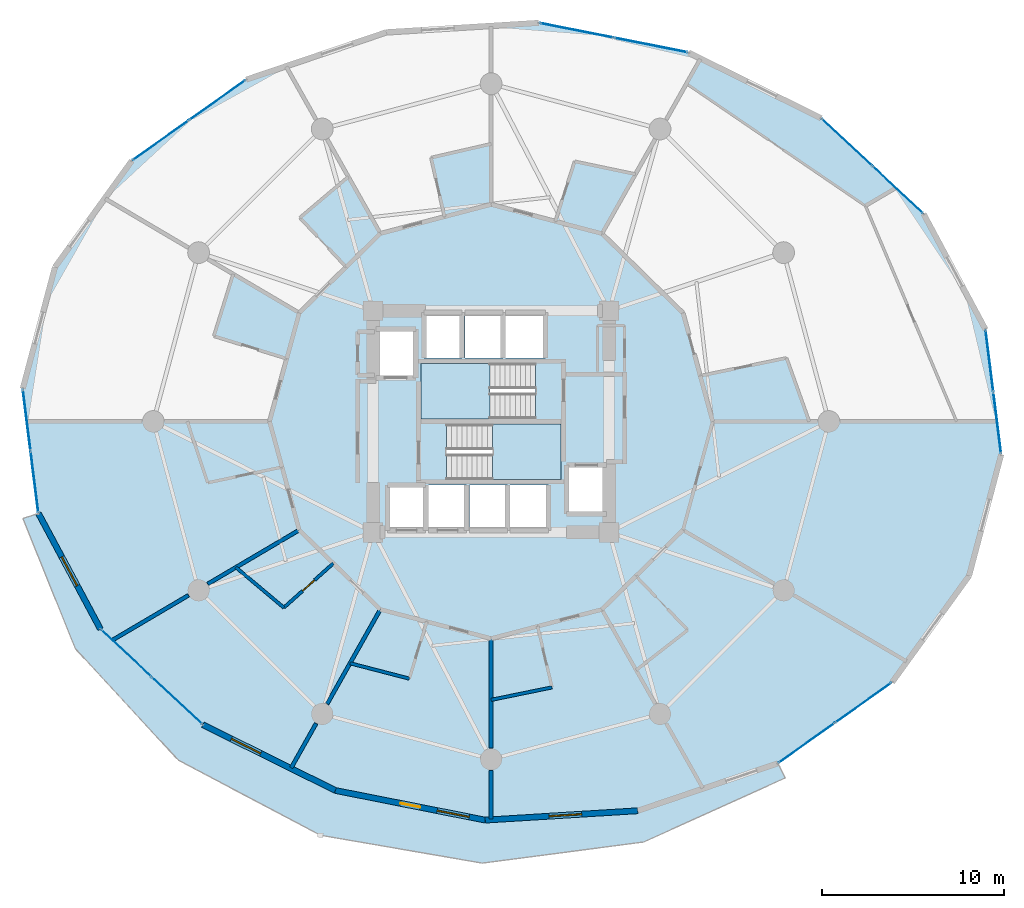
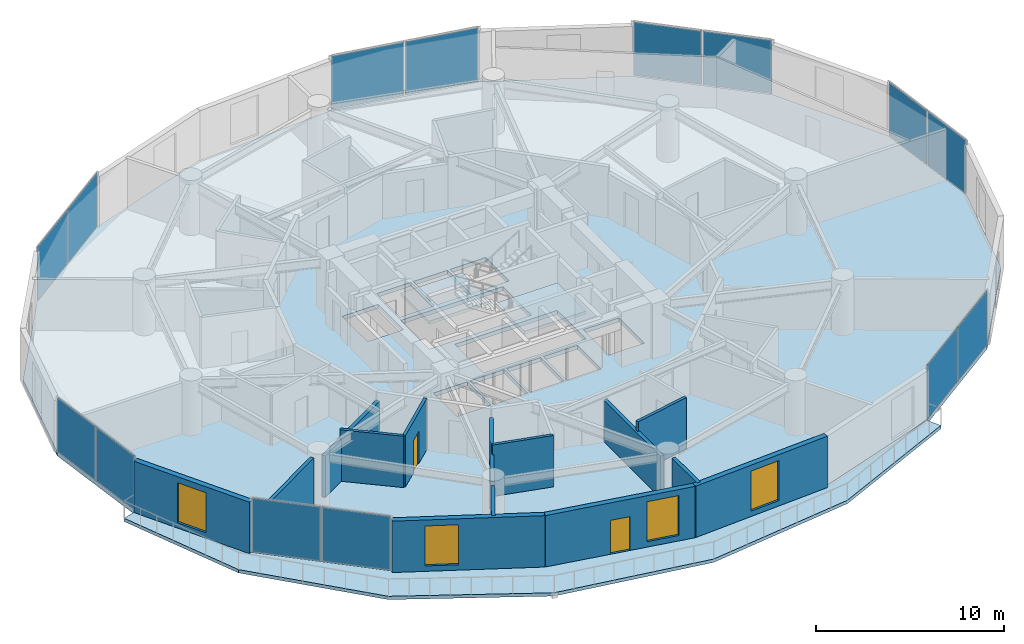
# One storey, part 19 of 26: 14 plates, 14 walls, 4 slabs, 4 windows, 2 doors, 6 openings, 9 elements without a shape of their own.
"""IFC4 building model written with IfcOpenShell, lengths in metres."""

from ifc_helpers import new_model, si_unit, direction, frame, frame_2d, origin, origin_2d, place, context, subcontext, project, spatial, polyline, rectangle, outline, extrude, source, transform, mapped, material, layer, layer_set, type_object, element, fill, aggregate, save


model = new_model("IFC4")

# Units and contexts
model_context = context("Model", 3, precision=1e-05, world=origin(), true_north=direction((0.0, 1.0)))
body_context = subcontext(model_context, "Body", "Model", "MODEL_VIEW")
ifc_project = project(units=[si_unit("LENGTHUNIT", "METRE"), si_unit("AREAUNIT", "SQUARE_METRE"), si_unit("VOLUMEUNIT", "CUBIC_METRE"), si_unit("PLANEANGLEUNIT", "RADIAN"), si_unit("MASSUNIT", "GRAM", prefix="KILO")], contexts=[model_context])

# Site, building, storey
site_placement = place(None, origin())
site = spatial("IfcSite", under=ifc_project, at=site_placement, CompositionType="ELEMENT")
building_placement = place(site_placement, origin())
building = spatial("IfcBuilding", under=site, at=building_placement, Name="Solvirekh Grand Hotel", CompositionType="ELEMENT")
storey_placement = place(building_placement, frame((0.0, 0.0, 32.0)))
storey = spatial("IfcBuildingStorey", under=building, at=storey_placement, Name="L06", CompositionType="ELEMENT", Elevation=32.0)

# Slab
ifc_material_1 = material(Name="Concrete C50/60", Category="concrete")
ifc_layer_1 = layer(ifc_material_1, 0.215087890625)
ifc_layer_set_1 = layer_set([ifc_layer_1], Name="Concrete C50/60")
slab_type_1 = type_object("IfcSlabType", Name="ExtCrescentBalc_215", PredefinedType="FLOOR", material=ifc_layer_set_1)
slab_1_placement = place(storey_placement, frame((0.0, 0.0, -0.215087890625)))
element("IfcSlab", 1, at=slab_1_placement, inside=storey, type_object=slab_type_1, Name="L06 sweeping crescent balcony slab", PredefinedType="FLOOR", context=body_context, shape_type="SweptSolid", body=[
    extrude(outline(polyline([(-25.782958984375, -5.340087890625), (-22.89208984375, -12.513916015625), (-17.218994140625, -18.65087890625), (-9.407958984375, -22.781005859375), (-0.48193359375, -24.318115234375), (8.406982421875, -23.153076171875), (16.197998046875, -19.625), (15.79296875, -18.821044921875), (8.072998046875, -21.43505859375), (-0.322998046875, -21.950927734375), (-8.575927734375, -20.318115234375), (-15.876953125, -16.696044921875), (-21.510009765625, -11.43896484375), (-24.926025390625, -5.06298828125), (-25.782958984375, -5.340087890625)])), origin(), (0.0, 0.0, 1.0), 0.215087890625),
])

# Stair, slab
ifc_material_2 = material(Name="Concrete C40/50", Category="concrete")
stair_type = type_object("IfcStairType", Name="Stair_Core_1450", PredefinedType="HALF_TURN_STAIR", material=ifc_material_2)
stair_1_placement = place(storey_placement, origin())
stair_1 = element("IfcStair", 2, at=stair_1_placement, inside=storey, type_object=stair_type, Name="L06 Enclosed exit stair ST-1", PredefinedType="HALF_TURN_STAIR")
ifc_layer_2 = layer(ifc_material_2, 0.199951171875)
ifc_layer_set_2 = layer_set([ifc_layer_2], Name="Concrete C40/50")
slab_type_2 = type_object("IfcSlabType", Name="Landing_Stair_200", PredefinedType="LANDING", material=ifc_layer_set_2)
slab_2_placement = place(storey_placement, frame((0.0, 0.0, 1.60009765625)))
slab_2 = element("IfcSlab", 3, at=slab_2_placement, type_object=slab_type_2, Name="ST-1 landing 1", PredefinedType="LANDING", context=body_context, shape_type="SweptSolid", body=[
    extrude(outline(polyline([(0.070068359375, -3.199951171875), (3.85009765625, -3.199951171875), (3.85009765625, -0.14990234375), (0.070068359375, -0.14990234375), (0.070068359375, -3.199951171875)])), origin(), (0.0, 0.0, 1.0), 0.199951171875),
])
aggregate(stair_1, [slab_2])

stair_2_placement = place(storey_placement, origin())
stair_2 = element("IfcStair", 4, at=stair_2_placement, inside=storey, type_object=stair_type, Name="L06 Enclosed exit stair ST-2", PredefinedType="HALF_TURN_STAIR")
slab_3_placement = place(storey_placement, frame((0.0, 0.0, 1.60009765625)))
slab_3 = element("IfcSlab", 5, at=slab_3_placement, type_object=slab_type_2, Name="ST-2 landing 1", PredefinedType="LANDING", context=body_context, shape_type="SweptSolid", body=[
    extrude(outline(polyline([(-0.070068359375, 3.199951171875), (-3.85009765625, 3.199951171875), (-3.85009765625, 0.14990234375), (-0.070068359375, 0.14990234375), (-0.070068359375, 3.199951171875)])), origin(), (0.0, 0.0, 1.0), 0.199951171875),
])
aggregate(stair_2, [slab_3])

# Slab
ifc_layer_3 = layer(ifc_material_1, 0.260009765625)
ifc_layer_set_3 = layer_set([ifc_layer_3], Name="Concrete C50/60")
slab_type_3 = type_object("IfcSlabType", Name="Slab_GuestZ1_260", PredefinedType="FLOOR", material=ifc_layer_set_3)
slab_4_placement = place(storey_placement, frame((0.0, 0.0, -0.260009765625)))
element("IfcSlab", 6, at=slab_4_placement, inside=storey, type_object=slab_type_3, Name="L06 structural floor slab", PredefinedType="FLOOR", context=body_context, shape_type="SweptSolid", body=[
    extrude(outline(polyline([(28.089111328125, -1.80810546875), (27.22607421875, 5.06298828125), (23.81005859375, 11.43896484375), (18.177001953125, 16.696044921875), (10.8759765625, 20.318115234375), (2.623046875, 21.950927734375), (-5.77294921875, 21.43505859375), (-13.492919921875, 18.821044921875), (-19.778076171875, 14.364990234375), (-24.01611328125, 8.5029296875), (-25.7890625, 1.80810546875), (-24.926025390625, -5.06298828125), (-21.510009765625, -11.43896484375), (-15.876953125, -16.696044921875), (-8.575927734375, -20.318115234375), (-0.322998046875, -21.950927734375), (8.072998046875, -21.43505859375), (15.79296875, -18.821044921875), (22.077880859375, -14.364990234375), (26.31591796875, -8.5029296875), (28.089111328125, -1.80810546875)]), holes=[polyline([(-2.444091796875, -0.14990234375), (3.85009765625, -0.14990234375), (3.85009765625, -3.199951171875), (-2.444091796875, -3.199951171875), (-2.444091796875, -0.14990234375)]), polyline([(2.444091796875, 0.14990234375), (-3.85009765625, 0.14990234375), (-3.85009765625, 3.199951171875), (2.444091796875, 3.199951171875), (2.444091796875, 0.14990234375)]), polyline([(-5.699951171875, -3.5), (-3.60009765625, -3.5), (-3.60009765625, -6.0), (-5.699951171875, -6.0), (-5.699951171875, -3.5)]), polyline([(-3.449951171875, -3.5), (-1.35009765625, -3.5), (-1.35009765625, -6.0), (-3.449951171875, -6.0), (-3.449951171875, -3.5)]), polyline([(-1.199951171875, -3.5), (0.89990234375, -3.5), (0.89990234375, -6.0), (-1.199951171875, -6.0), (-1.199951171875, -3.5)]), polyline([(1.050048828125, -3.5), (3.14990234375, -3.5), (3.14990234375, -6.0), (1.050048828125, -6.0), (1.050048828125, -3.5)]), polyline([(-3.699951171875, 6.0), (-1.60009765625, 6.0), (-1.60009765625, 3.5), (-3.699951171875, 3.5), (-3.699951171875, 6.0)]), polyline([(-1.449951171875, 6.0), (0.64990234375, 6.0), (0.64990234375, 3.5), (-1.449951171875, 3.5), (-1.449951171875, 6.0)]), polyline([(0.800048828125, 6.0), (3.0, 6.0), (3.0, 3.5), (0.800048828125, 3.5), (0.800048828125, 6.0)]), polyline([(-6.35009765625, 5.10009765625), (-4.14990234375, 5.10009765625), (-4.14990234375, 2.39990234375), (-6.35009765625, 2.39990234375), (-6.35009765625, 5.10009765625)]), polyline([(4.14990234375, -2.39990234375), (6.35009765625, -2.39990234375), (6.35009765625, -5.10009765625), (4.14990234375, -5.10009765625), (4.14990234375, -2.39990234375)])]), origin(), (0.0, 0.0, 1.0), 0.260009765625),
])

# Curtain wall, plates
ifc_material_3 = material(Name="Anodized Bronze Aluminium 6063-T6", Category="aluminium")
ifc_layer_4 = layer(ifc_material_3, 0.18994140625)
ifc_layer_set_4 = layer_set([ifc_layer_4], Name="Anodized Bronze Aluminium 6063-T6")
curtain_wall_type = type_object("IfcCurtainWallType", Name="CW_Sys2_LowZoneFlushBronzeCW", PredefinedType="NOTDEFINED", material=ifc_layer_set_4)
curtain_wall_1_placement = place(storey_placement, origin())
curtain_wall_1 = element("IfcCurtainWall", 7, at=curtain_wall_1_placement, inside=storey, type_object=curtain_wall_type, Name="L06 unitised bronze-glass curtain wall CW-L06-C01", PredefinedType="NOTDEFINED")
ifc_material_4 = material(Name="Low-E Tinted Bronze Laminated Glass", Category="aluminium")
ifc_layer_5 = layer(ifc_material_4, 0.0380859375)
ifc_layer_set_5 = layer_set([ifc_layer_5], Name="Low-E Tinted Bronze Laminated Glass")
plate_type = type_object("IfcPlateType", Name="CWPanel_Low_38", PredefinedType="CURTAIN_PANEL", material=ifc_layer_set_5)
shared_shape_1 = source(origin(), body_context, "Body", "SweptSolid", [
    extrude(rectangle(XDim=3.357421875, YDim=0.0380859375, at=origin_2d()), origin(), (0.0, 0.0, 1.0), 3.47998046875),
])
plate_1_placement = place(storey_placement, frame((27.87109375, -0.072998046875, 0.06005859375), z_axis=(0.0, 0.0, 1.0), x_axis=(-0.124621217979, 0.992204390249, 0.0)))
plate_1 = element("IfcPlate", 8, at=plate_1_placement, type_object=plate_type, Name="U02 panel 1.1", PredefinedType="CURTAIN_PANEL", context=body_context, shape_type="MappedRepresentation", body=[
    mapped(shared_shape_1, transform((0.0, 0.0, 0.0), x_axis=(1.0, 0.0, 0.0), y_axis=(0.0, 1.0, 0.0), z_axis=(0.0, 0.0, 1.0), scale=1.0)),
])
plate_2_placement = place(storey_placement, frame((27.44384765625, 3.327880859375, 0.06005859375), z_axis=(0.0, 0.0, 1.0), x_axis=(-0.124621217979, 0.992204390249, 0.0)))
plate_2 = element("IfcPlate", 9, at=plate_2_placement, type_object=plate_type, Name="U02 panel 2.1", PredefinedType="CURTAIN_PANEL", context=body_context, shape_type="MappedRepresentation", body=[
    mapped(shared_shape_1, transform((0.0, 0.0, 0.0), x_axis=(1.0, 0.0, 0.0), y_axis=(0.0, 1.0, 0.0), z_axis=(0.0, 0.0, 1.0), scale=1.0)),
])
aggregate(curtain_wall_1, [plate_1, plate_2])

curtain_wall_2_placement = place(storey_placement, origin())
curtain_wall_2 = element("IfcCurtainWall", 10, at=curtain_wall_2_placement, inside=storey, type_object=curtain_wall_type, Name="L06 unitised bronze-glass curtain wall CW-L06-C11", PredefinedType="NOTDEFINED")
plate_3_placement = place(storey_placement, frame((-25.571044921875, 0.072998046875, 0.06005859375), z_axis=(0.0, 0.0, 1.0), x_axis=(0.124621217979, -0.992204390249, 0.0)))
plate_3 = element("IfcPlate", 11, at=plate_3_placement, type_object=plate_type, Name="U02 panel 1.1", PredefinedType="CURTAIN_PANEL", context=body_context, shape_type="MappedRepresentation", body=[
    mapped(shared_shape_1, transform((0.0, 0.0, 0.0), x_axis=(1.0, 0.0, 0.0), y_axis=(0.0, 1.0, 0.0), z_axis=(0.0, 0.0, 1.0), scale=1.0)),
])
plate_4_placement = place(storey_placement, frame((-25.14404296875, -3.327880859375, 0.06005859375), z_axis=(0.0, 0.0, 1.0), x_axis=(0.124621217979, -0.992204390249, 0.0)))
plate_4 = element("IfcPlate", 12, at=plate_4_placement, type_object=plate_type, Name="U02 panel 2.1", PredefinedType="CURTAIN_PANEL", context=body_context, shape_type="MappedRepresentation", body=[
    mapped(shared_shape_1, transform((0.0, 0.0, 0.0), x_axis=(1.0, 0.0, 0.0), y_axis=(0.0, 1.0, 0.0), z_axis=(0.0, 0.0, 1.0), scale=1.0)),
])
aggregate(curtain_wall_2, [plate_3, plate_4])

curtain_wall_3_placement = place(storey_placement, origin())
curtain_wall_3 = element("IfcCurtainWall", 13, at=curtain_wall_3_placement, inside=storey, type_object=curtain_wall_type, Name="L06 unitised bronze-glass curtain wall CW-L06-C05", PredefinedType="NOTDEFINED")
shared_shape_2 = source(origin(), body_context, "Body", "SweptSolid", [
    extrude(rectangle(XDim=4.1015625, YDim=0.0380859375, at=origin_2d()), origin(), (0.0, 0.0, 1.0), 3.47998046875),
])
plate_5_placement = place(storey_placement, frame((8.795654296875, 20.729736328125, 0.06005859375), z_axis=(0.0, 0.0, 1.0), x_axis=(-0.9809809199, 0.194104185406, 0.0)))
plate_5 = element("IfcPlate", 14, at=plate_5_placement, type_object=plate_type, Name="U02 panel 1.1", PredefinedType="CURTAIN_PANEL", context=body_context, shape_type="MappedRepresentation", body=[
    mapped(shared_shape_2, transform((0.0, 0.0, 0.0), x_axis=(1.0, 0.0, 0.0), y_axis=(0.0, 1.0, 0.0), z_axis=(0.0, 0.0, 1.0), scale=1.0)),
])
plate_6_placement = place(storey_placement, frame((4.703369140625, 21.539306640625, 0.06005859375), z_axis=(0.0, 0.0, 1.0), x_axis=(-0.9809809199, 0.194104185406, 0.0)))
plate_6 = element("IfcPlate", 15, at=plate_6_placement, type_object=plate_type, Name="U02 panel 2.1", PredefinedType="CURTAIN_PANEL", context=body_context, shape_type="MappedRepresentation", body=[
    mapped(shared_shape_2, transform((0.0, 0.0, 0.0), x_axis=(1.0, 0.0, 0.0), y_axis=(0.0, 1.0, 0.0), z_axis=(0.0, 0.0, 1.0), scale=1.0)),
])
aggregate(curtain_wall_3, [plate_5, plate_6])

curtain_wall_4_placement = place(storey_placement, origin())
curtain_wall_4 = element("IfcCurtainWall", 16, at=curtain_wall_4_placement, inside=storey, type_object=curtain_wall_type, Name="L06 unitised bronze-glass curtain wall CW-L06-C08", PredefinedType="NOTDEFINED")
shared_shape_3 = source(origin(), body_context, "Body", "SweptSolid", [
    extrude(rectangle(XDim=3.7470703125, YDim=0.0380859375, at=origin_2d()), origin(), (0.0, 0.0, 1.0), 3.47998046875),
])
plate_7_placement = place(storey_placement, frame((-15.07861328125, 17.69677734375, 0.06005859375), z_axis=(0.0, 0.0, 1.0), x_axis=(-0.815771862482, -0.578373813708, 0.0)))
plate_7 = element("IfcPlate", 17, at=plate_7_placement, type_object=plate_type, Name="U02 panel 1.1", PredefinedType="CURTAIN_PANEL", context=body_context, shape_type="MappedRepresentation", body=[
    mapped(shared_shape_3, transform((0.0, 0.0, 0.0), x_axis=(1.0, 0.0, 0.0), y_axis=(0.0, 1.0, 0.0), z_axis=(0.0, 0.0, 1.0), scale=1.0)),
])
plate_8_placement = place(storey_placement, frame((-18.1923828125, 15.489013671875, 0.06005859375), z_axis=(0.0, 0.0, 1.0), x_axis=(-0.815771862482, -0.578373813708, 0.0)))
plate_8 = element("IfcPlate", 18, at=plate_8_placement, type_object=plate_type, Name="U02 panel 2.1", PredefinedType="CURTAIN_PANEL", context=body_context, shape_type="MappedRepresentation", body=[
    mapped(shared_shape_3, transform((0.0, 0.0, 0.0), x_axis=(1.0, 0.0, 0.0), y_axis=(0.0, 1.0, 0.0), z_axis=(0.0, 0.0, 1.0), scale=1.0)),
])
aggregate(curtain_wall_4, [plate_7, plate_8])

curtain_wall_5_placement = place(storey_placement, origin())
curtain_wall_5 = element("IfcCurtainWall", 19, at=curtain_wall_5_placement, inside=storey, type_object=curtain_wall_type, Name="L06 unitised bronze-glass curtain wall CW-L06-C18", PredefinedType="NOTDEFINED")
plate_9_placement = place(storey_placement, frame((17.37841796875, -17.69677734375, 0.06005859375), z_axis=(0.0, 0.0, 1.0), x_axis=(0.815771862482, 0.578373813708, 0.0)))
plate_9 = element("IfcPlate", 20, at=plate_9_placement, type_object=plate_type, Name="U02 panel 1.1", PredefinedType="CURTAIN_PANEL", context=body_context, shape_type="MappedRepresentation", body=[
    mapped(shared_shape_3, transform((0.0, 0.0, 0.0), x_axis=(1.0, 0.0, 0.0), y_axis=(0.0, 1.0, 0.0), z_axis=(0.0, 0.0, 1.0), scale=1.0)),
])
plate_10_placement = place(storey_placement, frame((20.492431640625, -15.489013671875, 0.06005859375), z_axis=(0.0, 0.0, 1.0), x_axis=(0.815771862482, 0.578373813708, 0.0)))
plate_10 = element("IfcPlate", 21, at=plate_10_placement, type_object=plate_type, Name="U02 panel 2.1", PredefinedType="CURTAIN_PANEL", context=body_context, shape_type="MappedRepresentation", body=[
    mapped(shared_shape_3, transform((0.0, 0.0, 0.0), x_axis=(1.0, 0.0, 0.0), y_axis=(0.0, 1.0, 0.0), z_axis=(0.0, 0.0, 1.0), scale=1.0)),
])
aggregate(curtain_wall_5, [plate_9, plate_10])

curtain_wall_6_placement = place(storey_placement, origin())
curtain_wall_6 = element("IfcCurtainWall", 22, at=curtain_wall_6_placement, inside=storey, type_object=curtain_wall_type, Name="L06 unitised bronze-glass curtain wall CW-L06-C03", PredefinedType="NOTDEFINED")
shared_shape_4 = source(origin(), body_context, "Body", "SweptSolid", [
    extrude(rectangle(XDim=3.74755859375, YDim=0.0380859375, at=origin_2d()), origin(), (0.0, 0.0, 1.0), 3.47998046875),
])
plate_11_placement = place(storey_placement, frame((22.388916015625, 12.76513671875, 0.06005859375), z_axis=(0.0, 0.0, 1.0), x_axis=(-0.73108547903, 0.682285880223, 0.0)))
plate_11 = element("IfcPlate", 23, at=plate_11_placement, type_object=plate_type, Name="U02 panel 1.1", PredefinedType="CURTAIN_PANEL", context=body_context, shape_type="MappedRepresentation", body=[
    mapped(shared_shape_4, transform((0.0, 0.0, 0.0), x_axis=(1.0, 0.0, 0.0), y_axis=(0.0, 1.0, 0.0), z_axis=(0.0, 0.0, 1.0), scale=1.0)),
])
plate_12_placement = place(storey_placement, frame((19.59814453125, 15.369873046875, 0.06005859375), z_axis=(0.0, 0.0, 1.0), x_axis=(-0.73108547903, 0.682285880223, 0.0)))
plate_12 = element("IfcPlate", 24, at=plate_12_placement, type_object=plate_type, Name="U02 panel 2.1", PredefinedType="CURTAIN_PANEL", context=body_context, shape_type="MappedRepresentation", body=[
    mapped(shared_shape_4, transform((0.0, 0.0, 0.0), x_axis=(1.0, 0.0, 0.0), y_axis=(0.0, 1.0, 0.0), z_axis=(0.0, 0.0, 1.0), scale=1.0)),
])
aggregate(curtain_wall_6, [plate_11, plate_12])

curtain_wall_7_placement = place(storey_placement, origin())
curtain_wall_7 = element("IfcCurtainWall", 25, at=curtain_wall_7_placement, inside=storey, type_object=curtain_wall_type, Name="L06 unitised bronze-glass curtain wall CW-L06-C13", PredefinedType="NOTDEFINED")
plate_13_placement = place(storey_placement, frame((-20.0888671875, -12.76513671875, 0.06005859375), z_axis=(0.0, 0.0, 1.0), x_axis=(0.73108547903, -0.682285880223, 0.0)))
plate_13 = element("IfcPlate", 26, at=plate_13_placement, type_object=plate_type, Name="U02 panel 1.1", PredefinedType="CURTAIN_PANEL", context=body_context, shape_type="MappedRepresentation", body=[
    mapped(shared_shape_4, transform((0.0, 0.0, 0.0), x_axis=(1.0, 0.0, 0.0), y_axis=(0.0, 1.0, 0.0), z_axis=(0.0, 0.0, 1.0), scale=1.0)),
])
plate_14_placement = place(storey_placement, frame((-17.298095703125, -15.369873046875, 0.06005859375), z_axis=(0.0, 0.0, 1.0), x_axis=(0.73108547903, -0.682285880223, 0.0)))
plate_14 = element("IfcPlate", 27, at=plate_14_placement, type_object=plate_type, Name="U02 panel 2.1", PredefinedType="CURTAIN_PANEL", context=body_context, shape_type="MappedRepresentation", body=[
    mapped(shared_shape_4, transform((0.0, 0.0, 0.0), x_axis=(1.0, 0.0, 0.0), y_axis=(0.0, 1.0, 0.0), z_axis=(0.0, 0.0, 1.0), scale=1.0)),
])
aggregate(curtain_wall_7, [plate_13, plate_14])

# Wall, opening, window
ifc_material_5 = material(Name="Precast concrete C45/55", Category="concrete")
ifc_layer_6 = layer(ifc_material_5, 0.320068359375)
ifc_layer_set_6 = layer_set([ifc_layer_6], Name="Precast concrete C45/55")
wall_type_1 = type_object("IfcWallType", Name="ExtLobbyWall_RC320", PredefinedType="SOLIDWALL", material=ifc_layer_set_6)
wall_1_placement = place(storey_placement, frame((-21.510009765625, -11.43896484375, 0.0), z_axis=(0.0, 0.0, 1.0), x_axis=(-0.472255130515, 0.881461905985, 0.0)))
wall_1 = element("IfcWall", 28, at=wall_1_placement, inside=storey, type_object=wall_type_1, Name="L06 exterior structural wall chord 12", PredefinedType="SOLIDWALL", context=body_context, shape_type="SweptSolid", body=[
    extrude(rectangle(XDim=7.2333984375, YDim=0.320068359375, at=frame_2d((3.61669921875, 0.0))), origin(), (0.0, 0.0, 1.0), 3.340087890625),
])
opening_1_placement = place(wall_1_placement, frame((2.717041015625, 0.0, 0.35009765625)))
opening_1 = element("IfcOpeningElement", 29, at=opening_1_placement, cuts=wall_1, Name="Opening W02", PredefinedType="OPENING", context=body_context, shape_type="SweptSolid", body=[
    extrude(rectangle(XDim=1.800048828125, YDim=2.60009765625, at=frame_2d((0.89990234375, 1.300048828125))), frame((0.0, 0.169921875, 0.0), z_axis=(0.0, -1.0, 0.0), x_axis=(1.0, 0.0, 0.0)), (0.0, 0.0, 1.0), 0.340087890625),
])
window_type = type_object("IfcWindowType", Name="Win_LobbyExt_1800X2600", PartitioningType="SINGLE_PANEL", PredefinedType="WINDOW", material=ifc_material_4)
window_1_placement = place(opening_1_placement, origin())
window_1 = element("IfcWindow", 30, at=window_1_placement, inside=storey, type_object=window_type, Name="L06 panoramic bronze-framed window 12", OverallHeight=2.60009765625, OverallWidth=1.800048828125, PartitioningType="SINGLE_PANEL", PredefinedType="WINDOW", context=body_context, shape_type="SweptSolid", body=[
    extrude(rectangle(XDim=1.800048828125, YDim=2.60009765625, at=frame_2d((0.89990234375, 1.300048828125))), frame((0.0, 0.030029296875, 0.0), z_axis=(0.0, -1.0, 0.0), x_axis=(1.0, 0.0, 0.0)), (0.0, 0.0, 1.0), 0.06005859375),
])
fill(opening_1, window_1)

wall_2_placement = place(storey_placement, frame((-8.575927734375, -20.318115234375, 0.0), z_axis=(0.0, 0.0, 1.0), x_axis=(-0.895818759339, 0.444419565743, 0.0)))
wall_2 = element("IfcWall", 31, at=wall_2_placement, inside=storey, type_object=wall_type_1, Name="L06 exterior structural wall chord 14", PredefinedType="SOLIDWALL", context=body_context, shape_type="SweptSolid", body=[
    extrude(rectangle(XDim=8.150146484375, YDim=0.320068359375, at=frame_2d((4.0751953125, 0.0))), origin(), (0.0, 0.0, 1.0), 3.340087890625),
])
opening_2_placement = place(wall_2_placement, frame((4.592041015625, 0.0, 0.35009765625)))
opening_2 = element("IfcOpeningElement", 32, at=opening_2_placement, cuts=wall_2, Name="Opening W02", PredefinedType="OPENING", context=body_context, shape_type="SweptSolid", body=[
    extrude(rectangle(XDim=1.800048828125, YDim=2.60009765625, at=frame_2d((0.89990234375, 1.300048828125))), frame((0.0, 0.169921875, 0.0), z_axis=(0.0, -1.0, 0.0), x_axis=(1.0, 0.0, 0.0)), (0.0, 0.0, 1.0), 0.340087890625),
])
window_2_placement = place(opening_2_placement, origin())
window_2 = element("IfcWindow", 33, at=window_2_placement, inside=storey, type_object=window_type, Name="L06 panoramic bronze-framed window 14", OverallHeight=2.60009765625, OverallWidth=1.800048828125, PartitioningType="SINGLE_PANEL", PredefinedType="WINDOW", context=body_context, shape_type="SweptSolid", body=[
    extrude(rectangle(XDim=1.800048828125, YDim=2.60009765625, at=frame_2d((0.89990234375, 1.300048828125))), frame((0.0, 0.030029296875, 0.0), z_axis=(0.0, -1.0, 0.0), x_axis=(1.0, 0.0, 0.0)), (0.0, 0.0, 1.0), 0.06005859375),
])
fill(opening_2, window_2)

# Wall, openings, door, window
wall_3_placement = place(storey_placement, frame((-0.322998046875, -21.950927734375, 0.0), z_axis=(0.0, 0.0, 1.0), x_axis=(-0.980984848571, 0.194084329288, 0.0)))
wall_3 = element("IfcWall", 34, at=wall_3_placement, inside=storey, type_object=wall_type_1, Name="L06 exterior structural wall chord 15", PredefinedType="SOLIDWALL", context=body_context, shape_type="SweptSolid", body=[
    extrude(rectangle(XDim=8.412841796875, YDim=0.320068359375, at=frame_2d((4.20654296875, 0.0))), origin(), (0.0, 0.0, 1.0), 3.340087890625),
])
opening_3_placement = place(wall_3_placement, frame((0.903076171875, 0.0, 0.35009765625)))
opening_3 = element("IfcOpeningElement", 35, at=opening_3_placement, cuts=wall_3, Name="Opening W02", PredefinedType="OPENING", context=body_context, shape_type="SweptSolid", body=[
    extrude(rectangle(XDim=1.800048828125, YDim=2.60009765625, at=frame_2d((0.89990234375, 1.300048828125))), frame((0.0, 0.169921875, 0.0), z_axis=(0.0, -1.0, 0.0), x_axis=(1.0, 0.0, 0.0)), (0.0, 0.0, 1.0), 0.340087890625),
])
opening_4_placement = place(wall_3_placement, frame((3.656982421875, 0.0, 0.0)))
opening_4 = element("IfcOpeningElement", 36, at=opening_4_placement, cuts=wall_3, Name="Opening D03", PredefinedType="OPENING", context=body_context, shape_type="SweptSolid", body=[
    extrude(rectangle(XDim=1.10009765625, YDim=2.199951171875, at=frame_2d((0.550048828125, 1.10009765625))), frame((0.0, 0.169921875, 0.0), z_axis=(0.0, -1.0, 0.0), x_axis=(1.0, 0.0, 0.0)), (0.0, 0.0, 1.0), 0.340087890625),
])
door_type_1 = type_object("IfcDoorType", Name="Door_ExtBalcony_1100X2200", OperationType="NOTDEFINED", PredefinedType="DOOR", material=ifc_material_3)
door_1_placement = place(opening_4_placement, origin())
door_1 = element("IfcDoor", 37, at=door_1_placement, inside=storey, type_object=door_type_1, Name="L06 Crescent balcony glazed door (15)", OperationType="SINGLE_SWING_RIGHT", OverallHeight=2.199951171875, OverallWidth=1.10009765625, PredefinedType="DOOR", context=body_context, shape_type="SweptSolid", body=[
    extrude(rectangle(XDim=1.10009765625, YDim=2.199951171875, at=frame_2d((0.550048828125, 1.10009765625))), frame((0.0, 0.02490234375, 0.0), z_axis=(0.0, -1.0, 0.0), x_axis=(1.0, 0.0, 0.0)), (0.0, 0.0, 1.0), 0.050048828125),
])
fill(opening_4, door_1)
window_3_placement = place(opening_3_placement, origin())
window_3 = element("IfcWindow", 38, at=window_3_placement, inside=storey, type_object=window_type, Name="L06 exterior side window 15", OverallHeight=2.60009765625, OverallWidth=1.800048828125, PartitioningType="SINGLE_PANEL", PredefinedType="WINDOW", context=body_context, shape_type="SweptSolid", body=[
    extrude(rectangle(XDim=1.800048828125, YDim=2.60009765625, at=frame_2d((0.89990234375, 1.300048828125))), frame((0.0, 0.030029296875, 0.0), z_axis=(0.0, -1.0, 0.0), x_axis=(1.0, 0.0, 0.0)), (0.0, 0.0, 1.0), 0.06005859375),
])
fill(opening_3, window_3)

# Wall, opening, window
wall_4_placement = place(storey_placement, frame((8.072998046875, -21.43505859375, 0.0), z_axis=(0.0, 0.0, 1.0), x_axis=(-0.998117750792, -0.06132663005, 0.0)))
wall_4 = element("IfcWall", 39, at=wall_4_placement, inside=storey, type_object=wall_type_1, Name="L06 exterior structural wall chord 16", PredefinedType="SOLIDWALL", context=body_context, shape_type="SweptSolid", body=[
    extrude(rectangle(XDim=8.411865234375, YDim=0.320068359375, at=frame_2d((4.2060546875, 0.0))), origin(), (0.0, 0.0, 1.0), 3.340087890625),
])
opening_5_placement = place(wall_4_placement, frame((3.093017578125, 0.0, 0.35009765625)))
opening_5 = element("IfcOpeningElement", 40, at=opening_5_placement, cuts=wall_4, Name="Opening W02", PredefinedType="OPENING", context=body_context, shape_type="SweptSolid", body=[
    extrude(rectangle(XDim=1.800048828125, YDim=2.60009765625, at=frame_2d((0.89990234375, 1.300048828125))), frame((0.0, 0.169921875, 0.0), z_axis=(0.0, -1.0, 0.0), x_axis=(1.0, 0.0, 0.0)), (0.0, 0.0, 1.0), 0.340087890625),
])
window_4_placement = place(opening_5_placement, origin())
window_4 = element("IfcWindow", 41, at=window_4_placement, inside=storey, type_object=window_type, Name="L06 panoramic bronze-framed window 16", OverallHeight=2.60009765625, OverallWidth=1.800048828125, PartitioningType="SINGLE_PANEL", PredefinedType="WINDOW", context=body_context, shape_type="SweptSolid", body=[
    extrude(rectangle(XDim=1.800048828125, YDim=2.60009765625, at=frame_2d((0.89990234375, 1.300048828125))), frame((0.0, 0.030029296875, 0.0), z_axis=(0.0, -1.0, 0.0), x_axis=(1.0, 0.0, 0.0)), (0.0, 0.0, 1.0), 0.06005859375),
])
fill(opening_5, window_4)

# Walls
ifc_material_6 = material(Name="Acoustic Gypsum Partition Assembly")
ifc_layer_7 = layer(ifc_material_6, 0.2099609375)
ifc_layer_set_7 = layer_set([ifc_layer_7], Name="Acoustic Gypsum Partition Assembly")
wall_type_2 = type_object("IfcWallType", Name="Part_SuiteDemise_210", PredefinedType="PARTITIONING", material=ifc_layer_set_7)
wall_5_placement = place(storey_placement, frame((-10.56591796875, -5.97509765625, 0.0), z_axis=(0.0, 0.0, 1.0), x_axis=(-0.861473203585, -0.507803032194, 0.0)))
element("IfcWall", 42, at=wall_5_placement, inside=storey, type_object=wall_type_2, Name="L06 suite radial wall 8 (A)", PredefinedType="PARTITIONING", context=body_context, shape_type="SweptSolid", body=[
    extrude(rectangle(XDim=5.8447265625, YDim=0.2099609375, at=frame_2d((2.92236328125, 0.0))), origin(), (0.0, 0.0, 1.0), 2.708984375),
])
wall_6_placement = place(storey_placement, frame((-16.666015625, -9.571044921875, 0.0), z_axis=(0.0, 0.0, 1.0), x_axis=(-0.861454358035, -0.50783500177, 0.0)))
element("IfcWall", 43, at=wall_6_placement, inside=storey, type_object=wall_type_2, Name="L06 suite radial wall 8 (B)", PredefinedType="PARTITIONING", context=body_context, shape_type="SweptSolid", body=[
    extrude(rectangle(XDim=4.830078125, YDim=0.2099609375, at=frame_2d((2.4150390625, 0.0))), origin(), (0.0, 0.0, 1.0), 3.340087890625),
])
wall_7_placement = place(storey_placement, frame((-6.10009765625, -10.34912109375, 0.0), z_axis=(0.0, 0.0, 1.0), x_axis=(-0.490503945764, -0.871438970433, 0.0)))
element("IfcWall", 44, at=wall_7_placement, inside=storey, type_object=wall_type_2, Name="L06 suite radial wall 9 (A)", PredefinedType="PARTITIONING", context=body_context, shape_type="SweptSolid", body=[
    extrude(rectangle(XDim=5.96923828125, YDim=0.2099609375, at=frame_2d((2.984619140625, 0.0))), origin(), (0.0, 0.0, 1.0), 2.708984375),
])
wall_8_placement = place(storey_placement, frame((-9.635986328125, -16.62890625, 0.0), z_axis=(0.0, 0.0, 1.0), x_axis=(-0.490451821351, -0.871468307475, 0.0)))
element("IfcWall", 45, at=wall_8_placement, inside=storey, type_object=wall_type_2, Name="L06 suite radial wall 9 (B)", PredefinedType="PARTITIONING", context=body_context, shape_type="SweptSolid", body=[
    extrude(rectangle(XDim=2.797607421875, YDim=0.2099609375, at=frame_2d((1.39892578125, 0.0))), origin(), (0.0, 0.0, 1.0), 3.340087890625),
])
wall_9_placement = place(storey_placement, frame((0.0, -11.949951171875, 0.0), z_axis=(0.0, 0.0, 1.0), x_axis=(0.0, -1.0, 0.0)))
element("IfcWall", 46, at=wall_9_placement, inside=storey, type_object=wall_type_2, Name="L06 suite radial wall 10 (A)", PredefinedType="PARTITIONING", context=body_context, shape_type="SweptSolid", body=[
    extrude(rectangle(XDim=6.030029296875, YDim=0.2099609375, at=frame_2d((3.01513671875, 0.0))), origin(), (0.0, 0.0, 1.0), 2.708984375),
])
wall_10_placement = place(storey_placement, frame((0.0, -19.219970703125, 0.0), z_axis=(0.0, 0.0, 1.0), x_axis=(0.0, -1.0, 0.0)))
element("IfcWall", 47, at=wall_10_placement, inside=storey, type_object=wall_type_2, Name="L06 suite radial wall 10 (B)", PredefinedType="PARTITIONING", context=body_context, shape_type="SweptSolid", body=[
    extrude(rectangle(XDim=2.671142578125, YDim=0.2099609375, at=frame_2d((1.33544921875, 0.0))), origin(), (0.0, 0.0, 1.0), 3.340087890625),
])
ifc_layer_8 = layer(ifc_material_6, 0.175048828125)
ifc_layer_set_8 = layer_set([ifc_layer_8], Name="Acoustic Gypsum Partition Assembly")
wall_type_3 = type_object("IfcWallType", Name="Plumb_Ensuite_175", PredefinedType="PLUMBINGWALL", material=ifc_layer_set_8)
wall_11_placement = place(storey_placement, frame((-14.054931640625, -8.031982421875, 0.0), z_axis=(0.0, 0.0, 1.0), x_axis=(0.765749489357, -0.643138958196, 0.0)))
element("IfcWall", 48, at=wall_11_placement, inside=storey, type_object=wall_type_3, Name="L06 En-suite Bathroom 0807 outer plumbing wall", PredefinedType="PLUMBINGWALL", context=body_context, shape_type="SweptSolid", body=[
    extrude(rectangle(XDim=3.44873046875, YDim=0.175048828125, at=frame_2d((1.724365234375, 0.0))), origin(), (0.0, 0.0, 1.0), 3.340087890625),
])

# Wall, opening, door
wall_12_placement = place(storey_placement, frame((-8.68994140625, -7.81201171875, 0.0), z_axis=(0.0, 0.0, 1.0), x_axis=(-0.745157470099, -0.666888554975, 0.0)))
wall_12 = element("IfcWall", 49, at=wall_12_placement, inside=storey, type_object=wall_type_3, Name="L06 En-suite Bathroom 0807 entry plumbing wall", PredefinedType="PLUMBINGWALL", context=body_context, shape_type="SweptSolid", body=[
    extrude(rectangle(XDim=3.65576171875, YDim=0.175048828125, at=frame_2d((1.827880859375, 0.0))), origin(), (0.0, 0.0, 1.0), 3.340087890625),
])
opening_6_placement = place(wall_12_placement, frame((1.3779296875, 0.0, 0.0)))
opening_6 = element("IfcOpeningElement", 50, at=opening_6_placement, cuts=wall_12, Name="Opening D09", PredefinedType="OPENING", context=body_context, shape_type="SweptSolid", body=[
    extrude(rectangle(XDim=0.89990234375, YDim=2.10009765625, at=frame_2d((0.449951171875, 1.050048828125))), frame((0.0, 0.09765625, 0.0), z_axis=(0.0, -1.0, 0.0), x_axis=(1.0, 0.0, 0.0)), (0.0, 0.0, 1.0), 0.195068359375),
])
door_type_2 = type_object("IfcDoorType", Name="Door_Ensuite_900X2100", OperationType="NOTDEFINED", PredefinedType="DOOR", material=ifc_material_3)
door_2_placement = place(opening_6_placement, origin())
door_2 = element("IfcDoor", 51, at=door_2_placement, inside=storey, type_object=door_type_2, Name="L06 En-suite Bathroom 0807 door", OperationType="SINGLE_SWING_LEFT", OverallHeight=2.10009765625, OverallWidth=0.89990234375, PredefinedType="DOOR", context=body_context, shape_type="SweptSolid", body=[
    extrude(rectangle(XDim=0.89990234375, YDim=2.10009765625, at=frame_2d((0.449951171875, 1.050048828125))), frame((0.0, 0.02490234375, 0.0), z_axis=(0.0, -1.0, 0.0), x_axis=(1.0, 0.0, 0.0)), (0.0, 0.0, 1.0), 0.050048828125),
])
fill(opening_6, door_2)

# Walls
wall_13_placement = place(storey_placement, frame((-7.76904296875, -13.31298828125, 0.0), z_axis=(0.0, 0.0, 1.0), x_axis=(0.96792648556, -0.251233593596, 0.0)))
element("IfcWall", 52, at=wall_13_placement, inside=storey, type_object=wall_type_3, Name="L06 En-suite Bathroom 0808 outer plumbing wall", PredefinedType="PLUMBINGWALL", context=body_context, shape_type="SweptSolid", body=[
    extrude(rectangle(XDim=3.37109375, YDim=0.175048828125, at=frame_2d((1.685546875, 0.0))), origin(), (0.0, 0.0, 1.0), 3.340087890625),
])
wall_14_placement = place(storey_placement, frame((0.0, -15.330078125, 0.0), z_axis=(0.0, 0.0, 1.0), x_axis=(0.979614932167, 0.20088450581, 0.0)))
element("IfcWall", 53, at=wall_14_placement, inside=storey, type_object=wall_type_3, Name="L06 En-suite Bathroom 0809 outer plumbing wall", PredefinedType="PLUMBINGWALL", context=body_context, shape_type="SweptSolid", body=[
    extrude(rectangle(XDim=3.4248046875, YDim=0.175048828125, at=frame_2d((1.71240234375, 0.0))), origin(), (0.0, 0.0, 1.0), 3.340087890625),
])

save(model, "model.ifc")
